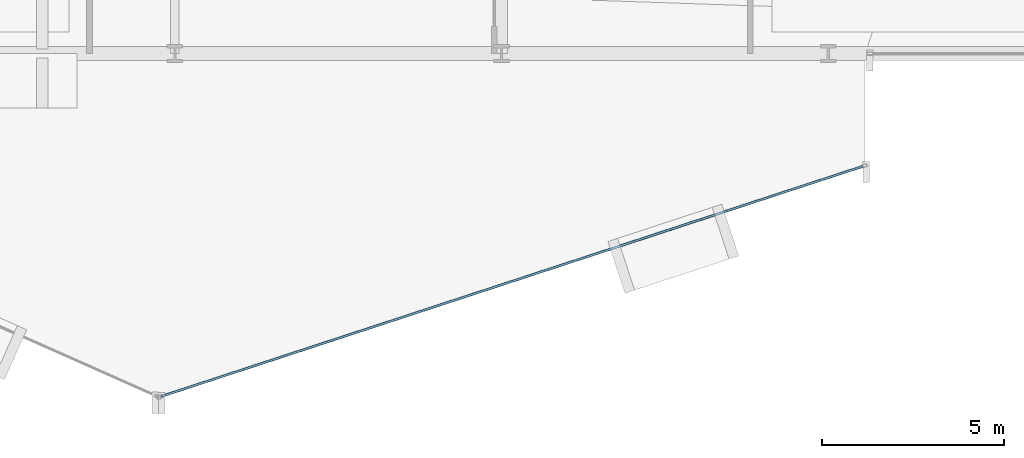
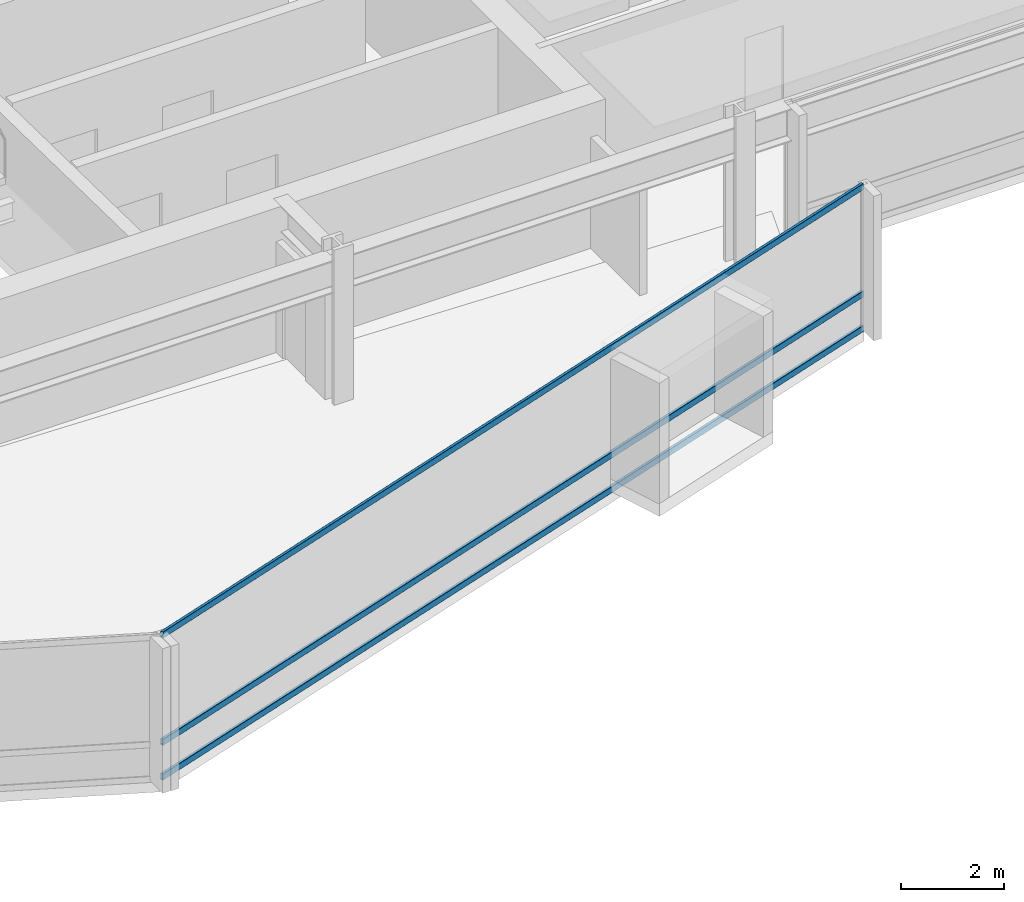
# One storey, part 9 of 34: 3 members, 1 element without a shape of its own.
"""IFC4 building model written with IfcOpenShell, lengths in metres."""

import ifcopenshell
import ifcopenshell.guid

model = None  # the IFC model being written
_history = None  # IfcOwnerHistory: only IFC2X3 demands one
_inside = {}  # id of a spatial element -> (the spatial element, [elements in it])
_under = {}  # id of a project, library or spatial element -> (it, [spatial elements below it])
_declared = {}  # id of a project -> (the project, [libraries it declares])
_typed = {}  # id of a type object -> (the type object, [elements of that type])
_made_of = {}  # id of a material, layer set ... -> (it, [elements and type objects made of it])


def new_model(schema):
    """Start an empty IFC model of exactly this schema.

    Asked for "IFC4X3", IfcOpenShell would pick the latest addendum, in which some entities
    have other attributes; the version numbers below select the first issue.
    IFC2X3 requires an IfcOwnerHistory on every rooted entity: one is made here for all.
    """
    global model, _history
    if schema == "IFC4X3":
        model = ifcopenshell.file(schema_version=(4, 3, 0, 0))
    else:
        model = ifcopenshell.file(schema=schema)
    _inside.clear()
    _under.clear()
    _declared.clear()
    _typed.clear()
    _made_of.clear()
    _history = None
    if model.schema == "IFC2X3":
        org = make("IfcOrganization", Name="unknown")
        user = make(
            "IfcPersonAndOrganization",
            ThePerson=make("IfcPerson", FamilyName="unknown"),
            TheOrganization=org,
        )
        app = make(
            "IfcApplication",
            ApplicationDeveloper=org,
            Version="unknown",
            ApplicationFullName="unknown",
            ApplicationIdentifier="unknown",
        )
        _history = make(
            "IfcOwnerHistory",
            OwningUser=user,
            OwningApplication=app,
            ChangeAction="ADDED",
            CreationDate=0,
        )
    return model


def make(cls, **values):
    """One entity of the class cls with the attributes given. An attribute that is None is left unset."""
    return model.create_entity(
        cls, **{name: value for name, value in values.items() if value is not None}
    )


def rooted(cls, **values):
    """An entity with a GlobalId (a new one), such as an element, a storey or a relation."""
    return make(cls, GlobalId=ifcopenshell.guid.new(), OwnerHistory=_history, **values)


def si_unit(unit_type, name, prefix=None):
    """IfcSIUnit, for example si_unit("LENGTHUNIT", "METRE", prefix="MILLI")."""
    return make("IfcSIUnit", UnitType=unit_type, Prefix=prefix, Name=name)


def assignment(units):
    """IfcUnitAssignment: the units of a project."""
    return None if units is None else make("IfcUnitAssignment", Units=units)


def point(xyz):
    """IfcCartesianPoint."""
    return None if xyz is None else make("IfcCartesianPoint", Coordinates=xyz)


def direction(xyz):
    """IfcDirection."""
    return None if xyz is None else make("IfcDirection", DirectionRatios=xyz)


def frame(location, z_axis=None, x_axis=None):
    """IfcAxis2Placement3D, a coordinate frame: its origin and axes. An axis left out is left unset."""
    return make(
        "IfcAxis2Placement3D",
        Location=point(location),
        Axis=direction(z_axis),
        RefDirection=direction(x_axis),
    )


def frame_2d(location, x_axis=None):
    """IfcAxis2Placement2D, a coordinate frame in the plane: its origin and x axis."""
    return make(
        "IfcAxis2Placement2D", Location=point(location), RefDirection=direction(x_axis)
    )


def origin():
    """The frame at (0, 0, 0) with its axes left unset."""
    return frame((0.0, 0.0, 0.0))


def origin_2d():
    """The frame at (0, 0) in the plane with its x axis left unset."""
    return frame_2d((0.0, 0.0))


def place(relative_to, where):
    """IfcLocalPlacement: puts the frame where relative to a parent placement (None: the world)."""
    return make(
        "IfcLocalPlacement", PlacementRelTo=relative_to, RelativePlacement=where
    )


def context(
    kind, dimensions, precision=None, world=None, true_north=None, identifier=None
):
    """IfcGeometricRepresentationContext, for example the 3D "Model" context."""
    return make(
        "IfcGeometricRepresentationContext",
        ContextIdentifier=identifier,
        ContextType=kind,
        CoordinateSpaceDimension=dimensions,
        Precision=precision,
        WorldCoordinateSystem=world,
        TrueNorth=true_north,
    )


def subcontext(parent, identifier, kind, view, scale=None):
    """IfcGeometricRepresentationSubContext, for example "Body" below "Model"."""
    return make(
        "IfcGeometricRepresentationSubContext",
        ContextIdentifier=identifier,
        ContextType=kind,
        ParentContext=parent,
        TargetScale=scale,
        TargetView=view,
    )


def project(units=None, contexts=None):
    """IfcProject with its units and contexts."""
    return rooted(
        "IfcProject",
        Name="project",
        RepresentationContexts=contexts,
        UnitsInContext=assignment(units),
    )


def spatial(cls, under=None, at=None, **own):
    """A site, building, storey or space (cls), placed at a placement, below another one or the project."""
    s = rooted(cls, ObjectPlacement=at, **own)
    if under is not None:
        _under.setdefault(under.id(), (under, []))[1].append(s)
    return s


def profile(cls, at=None, kind="AREA", **sizes):
    """A parametric profile (cls). Its sizes go by their IFC names, for example OverallWidth=200.0."""
    return make(cls, ProfileType=kind, Position=at, **sizes)


def hollow_rectangle(**sizes):
    """IfcRectangleHollowProfileDef."""
    return profile("IfcRectangleHollowProfileDef", **sizes)


def extrude(swept, where, along, depth):
    """IfcExtrudedAreaSolid: the profile swept, set in the frame where, extruded along a direction by depth."""
    return make(
        "IfcExtrudedAreaSolid",
        SweptArea=swept,
        Position=where,
        ExtrudedDirection=direction(along),
        Depth=depth,
    )


def shape(context_of_items, identifier, shape_type, items):
    """IfcShapeRepresentation: the items that make up one representation, for example the "Body"."""
    return make(
        "IfcShapeRepresentation",
        ContextOfItems=context_of_items,
        RepresentationIdentifier=identifier,
        RepresentationType=shape_type,
        Items=items,
    )


def material(Name=None, Category=None):
    """IfcMaterial."""
    return make("IfcMaterial", Name=Name, Category=Category)


def layer(
    of_material, thickness, ventilated=None, Name=None, Category=None, Priority=None
):
    """IfcMaterialLayer: one layer of a wall or slab, of a material (None: an air gap)."""
    return make(
        "IfcMaterialLayer",
        Material=of_material,
        LayerThickness=thickness,
        IsVentilated=ventilated,
        Name=Name,
        Category=Category,
        Priority=Priority,
    )


def layer_set(layers, Name=None):
    """IfcMaterialLayerSet."""
    return make("IfcMaterialLayerSet", MaterialLayers=layers, LayerSetName=Name)


def material_profile(
    of_material, cross_section, Name=None, Category=None, Priority=None
):
    """IfcMaterialProfile: a cross section and its material."""
    return make(
        "IfcMaterialProfile",
        Name=Name,
        Material=of_material,
        Profile=cross_section,
        Priority=Priority,
        Category=Category,
    )


def profile_set(profiles, Name=None, composite=None):
    """IfcMaterialProfileSet."""
    return make(
        "IfcMaterialProfileSet",
        Name=Name,
        MaterialProfiles=profiles,
        CompositeProfile=composite,
    )


def made_of(thing, what):
    """Note that an element or type object is made of a material, layer set ...; save() writes the relation."""
    if what is not None:
        _made_of.setdefault(what.id(), (what, []))[1].append(thing)
    return thing


def type_object(cls, material=None, **own):
    """A type object (cls), such as IfcWallType, which elements share."""
    return made_of(rooted(cls, **own), material)


def element(
    cls,
    number,
    at=None,
    inside=None,
    cuts=None,
    type_object=None,
    material=None,
    context=None,
    identifier="Body",
    shape_type=None,
    held_by="IfcProductDefinitionShape",
    body=None,
    shapes=None,
    **own,
):
    """One element of the class cls, such as IfcWall. Its Tag is "e" and its number.

    at: its placement. inside: the storey or other place that contains it. cuts: it is an
    opening in that element (IfcRelVoidsElement). A single representation is given by context,
    identifier, shape_type and body (its items); several are given by shapes. held_by: the class
    of the entity that holds the representations. save() writes the other relations.
    """
    e = rooted(cls, Tag="e%d" % number, ObjectPlacement=at, **own)
    if body is not None:
        shapes = [shape(context, identifier, shape_type, body)]
    if shapes is not None:
        e.Representation = make(held_by, Representations=shapes)
    if inside is not None:
        _inside.setdefault(inside.id(), (inside, []))[1].append(e)
    if cuts is not None:
        rooted(
            "IfcRelVoidsElement", RelatingBuildingElement=cuts, RelatedOpeningElement=e
        )
    if type_object is not None:
        _typed.setdefault(type_object.id(), (type_object, []))[1].append(e)
    return made_of(e, material)


def aggregate(whole, parts):
    """IfcRelAggregates: a whole, such as a stair, and the parts it consists of."""
    return rooted("IfcRelAggregates", RelatingObject=whole, RelatedObjects=parts)


def save(model, path):
    """Write the relations noted so far, then the file.

    IfcRelAggregates (storeys below a building ...), IfcRelContainedInSpatialStructure (elements
    in a storey), IfcRelDefinesByType, IfcRelAssociatesMaterial and IfcRelDeclares: one each for
    every whole, place, type object, material and project.
    """
    for whole, parts in _under.values():
        aggregate(whole, parts)
    for where, things in _inside.values():
        rooted(
            "IfcRelContainedInSpatialStructure",
            RelatedElements=things,
            RelatingStructure=where,
        )
    for kind, things in _typed.values():
        rooted("IfcRelDefinesByType", RelatedObjects=things, RelatingType=kind)
    for what, things in _made_of.values():
        rooted("IfcRelAssociatesMaterial", RelatedObjects=things, RelatingMaterial=what)
    for by, libraries in _declared.values():
        rooted("IfcRelDeclares", RelatingContext=by, RelatedDefinitions=libraries)
    model.write(path)


model = new_model("IFC4")

# Units and contexts
model_context = context("Model", 3, precision=1e-05, world=origin(), true_north=direction((0.0, 1.0)))
body_context = subcontext(model_context, "Body", "Model", "MODEL_VIEW")
ifc_project = project(units=[si_unit("LENGTHUNIT", "METRE"), si_unit("AREAUNIT", "SQUARE_METRE"), si_unit("VOLUMEUNIT", "CUBIC_METRE"), si_unit("PLANEANGLEUNIT", "RADIAN"), si_unit("MASSUNIT", "GRAM", prefix="KILO")], contexts=[model_context])

# Site, building, storey
site_placement = place(None, origin())
site = spatial("IfcSite", under=ifc_project, at=site_placement, CompositionType="ELEMENT")
building_placement = place(site_placement, origin())
building = spatial("IfcBuilding", under=site, at=building_placement, Name="Solvaryn Broadcast Tower", CompositionType="ELEMENT")
storey_placement = place(building_placement, frame((0.0, 0.0, 54.5)))
storey = spatial("IfcBuildingStorey", under=building, at=storey_placement, Name="L12", CompositionType="ELEMENT", Elevation=54.5)

# Curtain wall, members
ifc_material_1 = material(Name="Aluminium and Terracotta Unitised Curtain Wall", Category="masonry")
ifc_layer = layer(ifc_material_1, 0.199951171875)
ifc_layer_set = layer_set([ifc_layer], Name="CW-SYS2-LOWMID")
curtain_wall_type = type_object("IfcCurtainWallType", Name="CW-SYS2-LOWMID", PredefinedType="NOTDEFINED", material=ifc_layer_set)
curtain_wall_placement = place(storey_placement, origin())
curtain_wall = element("IfcCurtainWall", 1, at=curtain_wall_placement, inside=storey, type_object=curtain_wall_type, Name="L12 Curtain Wall DR4", PredefinedType="NOTDEFINED")
ifc_material_2 = material(Name="Anodised Aluminium 6063-T6", Category="aluminium")
ifc_material_profile = material_profile(ifc_material_2, hollow_rectangle(XDim=0.06494140625, YDim=0.14990234375, WallThickness=0.00390625, InnerFilletRadius=0.00390625, OuterFilletRadius=0.008056640625, at=origin_2d()))
ifc_profile_set = profile_set([ifc_material_profile], Name="Anodised Aluminium 6063-T6")
member_type = type_object("IfcMemberType", Name="CW-TRN-150", PredefinedType="USERDEFINED", material=ifc_profile_set)
member_1_placement = place(storey_placement, frame((26.616943359375, -0.4453125, 0.030029296875), z_axis=(0.950216792475, 0.311589549406, 0.0), x_axis=(-0.311589549406, 0.950216792475, 0.0)))
member_1 = element("IfcMember", 2, at=member_1_placement, type_object=member_type, Name="CWS2 transom 1.1", ObjectType="TRANSOM", PredefinedType="USERDEFINED", context=body_context, shape_type="SweptSolid", body=[
    extrude(hollow_rectangle(XDim=0.06494140625, YDim=0.14990234375, WallThickness=0.00390625, InnerFilletRadius=0.00390625, OuterFilletRadius=0.008056640625, at=origin_2d()), origin(), (0.0, 0.0, 1.0), 20.35546875),
])
member_2_placement = place(storey_placement, frame((26.616943359375, -0.4453125, 0.85009765625), z_axis=(0.950216792475, 0.311589549406, 0.0), x_axis=(-0.311589549406, 0.950216792475, 0.0)))
member_2 = element("IfcMember", 3, at=member_2_placement, type_object=member_type, Name="CWS2 transom 1.2", ObjectType="TRANSOM", PredefinedType="USERDEFINED", context=body_context, shape_type="SweptSolid", body=[
    extrude(hollow_rectangle(XDim=0.06494140625, YDim=0.14990234375, WallThickness=0.00390625, InnerFilletRadius=0.00390625, OuterFilletRadius=0.008056640625, at=origin_2d()), origin(), (0.0, 0.0, 1.0), 20.35546875),
])
member_3_placement = place(storey_placement, frame((26.616943359375, -0.4453125, 3.389892578125), z_axis=(0.950216792475, 0.311589549406, 0.0), x_axis=(-0.311589549406, 0.950216792475, 0.0)))
member_3 = element("IfcMember", 4, at=member_3_placement, type_object=member_type, Name="CWS2 transom 1.3", ObjectType="TRANSOM", PredefinedType="USERDEFINED", context=body_context, shape_type="SweptSolid", body=[
    extrude(hollow_rectangle(XDim=0.06494140625, YDim=0.14990234375, WallThickness=0.00390625, InnerFilletRadius=0.00390625, OuterFilletRadius=0.008056640625, at=origin_2d()), origin(), (0.0, 0.0, 1.0), 20.35546875),
])
aggregate(curtain_wall, [member_1, member_2, member_3])

save(model, "model.ifc")
